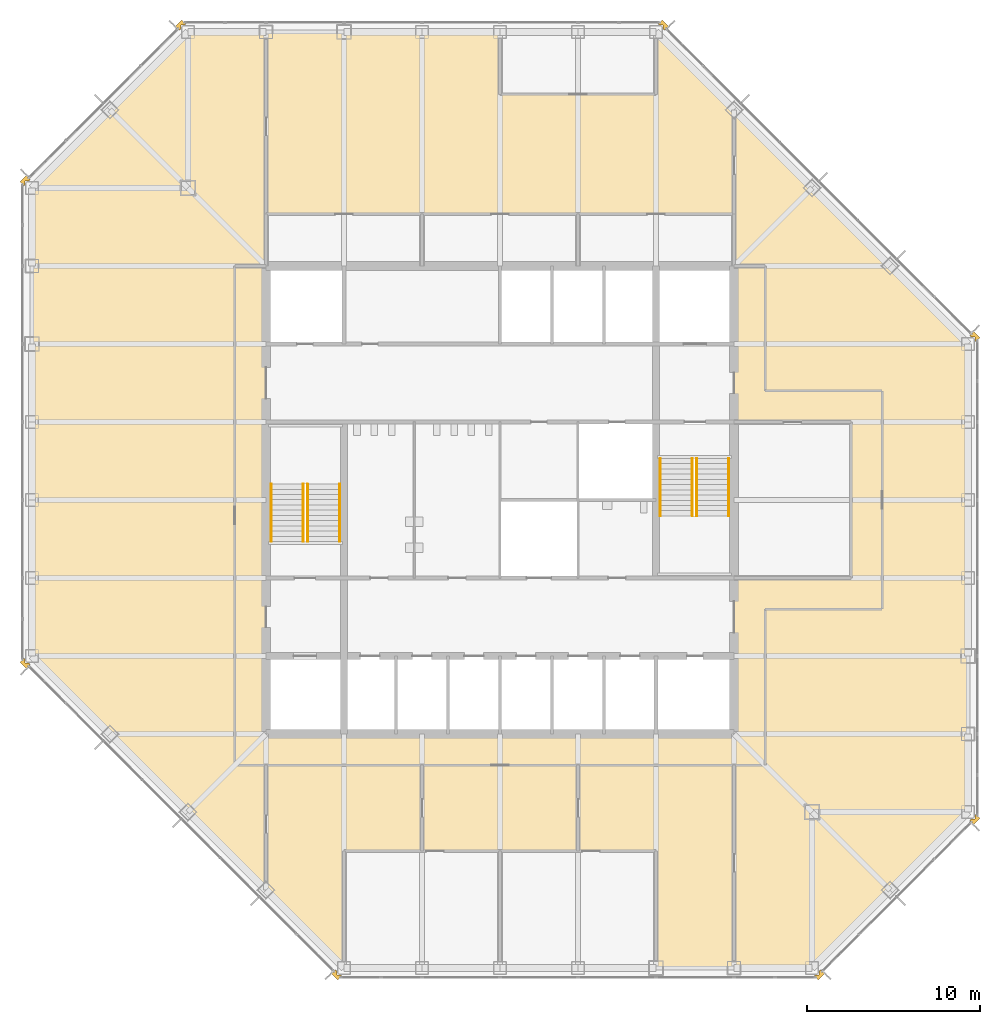
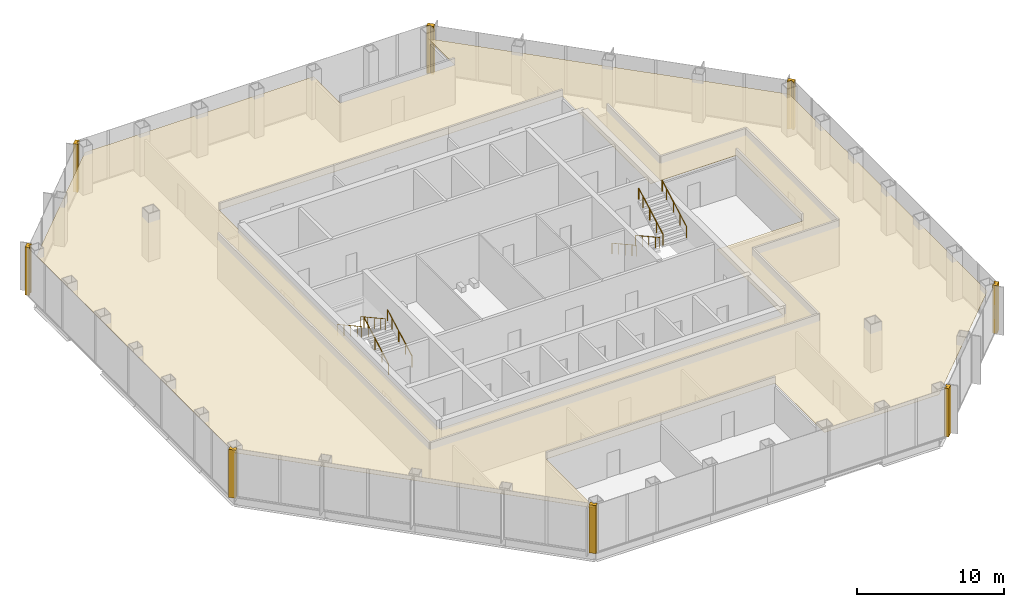
# One storey, part 11 of 12: 9 coverings, 8 railings.
"""IFC4 building model written with IfcOpenShell, lengths in metres."""

from ifc_helpers import new_model, si_unit, direction, frame, origin, origin_2d, place, context, subcontext, project, spatial, polyline, circle, outline, extrude, material, layer, layer_set, type_object, element, save


model = new_model("IFC4")

# Units and contexts
model_context = context("Model", 3, precision=1e-05, world=origin(), true_north=direction((0.0, 1.0)))
body_context = subcontext(model_context, "Body", "Model", "MODEL_VIEW")
ifc_project = project(units=[si_unit("LENGTHUNIT", "METRE"), si_unit("AREAUNIT", "SQUARE_METRE"), si_unit("VOLUMEUNIT", "CUBIC_METRE"), si_unit("PLANEANGLEUNIT", "RADIAN"), si_unit("MASSUNIT", "GRAM", prefix="KILO")], contexts=[model_context])

# Site, building, storey
site_placement = place(None, origin())
site = spatial("IfcSite", under=ifc_project, at=site_placement, CompositionType="ELEMENT")
building_placement = place(site_placement, origin())
building = spatial("IfcBuilding", under=site, at=building_placement, Name="Corais Broadcast Tower", CompositionType="ELEMENT")
storey_placement = place(building_placement, frame((0.0, 0.0, 187.60009765625)))
storey = spatial("IfcBuildingStorey", under=building, at=storey_placement, Name="L43", CompositionType="ELEMENT", Elevation=187.60009765625)

# Railings
ifc_material_1 = material(Name="Stainless steel handrail", Category="steel")
railing_type = type_object("IfcRailingType", Name="Handrail 920", PredefinedType="HANDRAIL", material=ifc_material_1)
for number, where, name in (
    (1, (17.75, 24.60009765625, 0.16650390625), "HR1 L43"),
    (2, (15.89990234375, 24.60009765625, 0.16650390625), "HR1 L43"),
):
    element("IfcRailing", number, at=place(storey_placement, frame(where)), inside=storey, type_object=railing_type, Name=name, PredefinedType="HANDRAIL", context=body_context, shape_type="SweptSolid", body=[
        extrude(circle(Radius=0.02392578125, at=origin_2d()), frame((0.0, 0.0, 0.89599609375), z_axis=(0.0, 0.875504475178, 0.483210010185), x_axis=(-1.0, 0.0, 0.0)), (0.0, 0.0, 1.0), 3.79443359375),
        extrude(circle(Radius=0.02099609375, at=origin_2d()), origin(), (0.0, 0.0, 1.0), 0.871826171875),
        extrude(circle(Radius=0.02099609375, at=origin_2d()), frame((0.0, 0.906005859375, 0.5)), (0.0, 0.0, 1.0), 0.871826171875),
        extrude(circle(Radius=0.02099609375, at=origin_2d()), frame((0.0, 1.81201171875, 1.0)), (0.0, 0.0, 1.0), 0.871826171875),
        extrude(circle(Radius=0.02099609375, at=origin_2d()), frame((0.0, 2.718017578125, 1.500244140625)), (0.0, 0.0, 1.0), 0.871826171875),
        extrude(circle(Radius=0.02099609375, at=origin_2d()), frame((0.0, 3.322021484375, 1.83349609375)), (0.0, 0.0, 1.0), 0.871826171875),
    ])
for number, where, name in (
    (3, (13.800048828125, 27.922119140625, 2.16650390625), "HR1 L43"),
    (4, (15.64990234375, 27.922119140625, 2.16650390625), "HR1 L43"),
    (5, (36.25, 29.39990234375, 0.16650390625), "HR1 L43"),
    (6, (38.10009765625, 29.39990234375, 0.16650390625), "HR1 L43"),
):
    element("IfcRailing", number, at=place(storey_placement, frame(where)), inside=storey, type_object=railing_type, Name=name, PredefinedType="HANDRAIL", context=body_context, shape_type="SweptSolid", body=[
        extrude(circle(Radius=0.02392578125, at=origin_2d()), frame((0.0, 0.0, 0.89599609375), z_axis=(0.0, -0.875504475178, 0.483210010185), x_axis=(1.0, 0.0, 0.0)), (0.0, 0.0, 1.0), 3.79443359375),
        extrude(circle(Radius=0.02099609375, at=origin_2d()), origin(), (0.0, 0.0, 1.0), 0.871826171875),
        extrude(circle(Radius=0.02099609375, at=origin_2d()), frame((0.0, -0.906005859375, 0.5)), (0.0, 0.0, 1.0), 0.871826171875),
        extrude(circle(Radius=0.02099609375, at=origin_2d()), frame((0.0, -1.81201171875, 1.0)), (0.0, 0.0, 1.0), 0.871826171875),
        extrude(circle(Radius=0.02099609375, at=origin_2d()), frame((0.0, -2.718017578125, 1.500244140625)), (0.0, 0.0, 1.0), 0.871826171875),
        extrude(circle(Radius=0.02099609375, at=origin_2d()), frame((0.0, -3.322021484375, 1.83349609375)), (0.0, 0.0, 1.0), 0.871826171875),
    ])
for number, where, name in (
    (7, (40.199951171875, 26.077880859375, 2.16650390625), "HR1 L43"),
    (8, (38.35009765625, 26.077880859375, 2.16650390625), "HR1 L43"),
):
    element("IfcRailing", number, at=place(storey_placement, frame(where)), inside=storey, type_object=railing_type, Name=name, PredefinedType="HANDRAIL", context=body_context, shape_type="SweptSolid", body=[
        extrude(circle(Radius=0.02392578125, at=origin_2d()), frame((0.0, 0.0, 0.89599609375), z_axis=(0.0, 0.875504475178, 0.483210010185), x_axis=(-1.0, 0.0, 0.0)), (0.0, 0.0, 1.0), 3.79443359375),
        extrude(circle(Radius=0.02099609375, at=origin_2d()), origin(), (0.0, 0.0, 1.0), 0.871826171875),
        extrude(circle(Radius=0.02099609375, at=origin_2d()), frame((0.0, 0.906005859375, 0.5)), (0.0, 0.0, 1.0), 0.871826171875),
        extrude(circle(Radius=0.02099609375, at=origin_2d()), frame((0.0, 1.81201171875, 1.0)), (0.0, 0.0, 1.0), 0.871826171875),
        extrude(circle(Radius=0.02099609375, at=origin_2d()), frame((0.0, 2.718017578125, 1.500244140625)), (0.0, 0.0, 1.0), 0.871826171875),
        extrude(circle(Radius=0.02099609375, at=origin_2d()), frame((0.0, 3.322021484375, 1.83349609375)), (0.0, 0.0, 1.0), 0.871826171875),
    ])

# Coverings
ifc_material_2 = material(Name="Granite stone cladding", Category="masonry")
ifc_layer_1 = layer(ifc_material_2, 0.324951171875)
ifc_layer_set_1 = layer_set([ifc_layer_1], Name="Granite stone cladding")
covering_type_1 = type_object("IfcCoveringType", Name="Stone corner pier cladding 500x325", PredefinedType="CLADDING", material=ifc_layer_set_1)
covering_1_placement = place(storey_placement, origin())
element("IfcCovering", 9, at=covering_1_placement, inside=storey, type_object=covering_type_1, Name="SP1 stone corner pier L43", PredefinedType="CLADDING", context=body_context, shape_type="SweptSolid", body=[
    extrude(outline(polyline([(17.860595703125, -0.461669921875), (17.799072265625, -0.39990234375), (17.60009765625, -0.39990234375), (17.60009765625, -0.200927734375), (17.507080078125, -0.108154296875), (17.277099609375, -0.337890625), (17.630859375, -0.69140625), (17.860595703125, -0.461669921875)])), origin(), (0.0, 0.0, 1.0), 4.0),
])
covering_2_placement = place(storey_placement, origin())
element("IfcCovering", 10, at=covering_2_placement, inside=storey, type_object=covering_type_1, Name="SP1 stone corner pier L43", PredefinedType="CLADDING", context=body_context, shape_type="SweptSolid", body=[
    extrude(outline(polyline([(-0.39990234375, 17.799072265625), (-0.461669921875, 17.860595703125), (-0.69140625, 17.630859375), (-0.337890625, 17.277099609375), (-0.108154296875, 17.507080078125), (-0.200927734375, 17.60009765625), (-0.39990234375, 17.60009765625), (-0.39990234375, 17.799072265625)])), origin(), (0.0, 0.0, 1.0), 4.0),
])
covering_3_placement = place(storey_placement, origin())
element("IfcCovering", 11, at=covering_3_placement, inside=storey, type_object=covering_type_1, Name="SP1 stone corner pier L43", PredefinedType="CLADDING", context=body_context, shape_type="SweptSolid", body=[
    extrude(outline(polyline([(-0.461669921875, 45.139404296875), (-0.39990234375, 45.200927734375), (-0.39990234375, 45.39990234375), (-0.200927734375, 45.39990234375), (-0.108154296875, 45.492919921875), (-0.337890625, 45.722900390625), (-0.69140625, 45.369140625), (-0.461669921875, 45.139404296875)])), origin(), (0.0, 0.0, 1.0), 4.0),
])
covering_4_placement = place(storey_placement, origin())
element("IfcCovering", 12, at=covering_4_placement, inside=storey, type_object=covering_type_1, Name="SP1 stone corner pier L43", PredefinedType="CLADDING", context=body_context, shape_type="SweptSolid", body=[
    extrude(outline(polyline([(8.799072265625, 54.39990234375), (8.860595703125, 54.461669921875), (8.630859375, 54.69140625), (8.277099609375, 54.337890625), (8.507080078125, 54.108154296875), (8.60009765625, 54.200927734375), (8.60009765625, 54.39990234375), (8.799072265625, 54.39990234375)])), origin(), (0.0, 0.0, 1.0), 4.0),
])
covering_5_placement = place(storey_placement, origin())
element("IfcCovering", 13, at=covering_5_placement, inside=storey, type_object=covering_type_1, Name="SP1 stone corner pier L43", PredefinedType="CLADDING", context=body_context, shape_type="SweptSolid", body=[
    extrude(outline(polyline([(36.139404296875, 54.461669921875), (36.200927734375, 54.39990234375), (36.39990234375, 54.39990234375), (36.39990234375, 54.200927734375), (36.492919921875, 54.108154296875), (36.722900390625, 54.337890625), (36.369140625, 54.69140625), (36.139404296875, 54.461669921875)])), origin(), (0.0, 0.0, 1.0), 4.0),
])
covering_6_placement = place(storey_placement, origin())
element("IfcCovering", 14, at=covering_6_placement, inside=storey, type_object=covering_type_1, Name="SP1 stone corner pier L43", PredefinedType="CLADDING", context=body_context, shape_type="SweptSolid", body=[
    extrude(outline(polyline([(54.39990234375, 36.200927734375), (54.461669921875, 36.139404296875), (54.69140625, 36.369140625), (54.337890625, 36.722900390625), (54.108154296875, 36.492919921875), (54.200927734375, 36.39990234375), (54.39990234375, 36.39990234375), (54.39990234375, 36.200927734375)])), origin(), (0.0, 0.0, 1.0), 4.0),
])
covering_7_placement = place(storey_placement, origin())
element("IfcCovering", 15, at=covering_7_placement, inside=storey, type_object=covering_type_1, Name="SP1 stone corner pier L43", PredefinedType="CLADDING", context=body_context, shape_type="SweptSolid", body=[
    extrude(outline(polyline([(54.461669921875, 8.860595703125), (54.39990234375, 8.799072265625), (54.39990234375, 8.60009765625), (54.200927734375, 8.60009765625), (54.108154296875, 8.507080078125), (54.337890625, 8.277099609375), (54.69140625, 8.630859375), (54.461669921875, 8.860595703125)])), origin(), (0.0, 0.0, 1.0), 4.0),
])
covering_8_placement = place(storey_placement, origin())
element("IfcCovering", 16, at=covering_8_placement, inside=storey, type_object=covering_type_1, Name="SP1 stone corner pier L43", PredefinedType="CLADDING", context=body_context, shape_type="SweptSolid", body=[
    extrude(outline(polyline([(45.200927734375, -0.39990234375), (45.139404296875, -0.461669921875), (45.369140625, -0.69140625), (45.722900390625, -0.337890625), (45.492919921875, -0.108154296875), (45.39990234375, -0.200927734375), (45.39990234375, -0.39990234375), (45.200927734375, -0.39990234375)])), origin(), (0.0, 0.0, 1.0), 4.0),
])
ifc_material_3 = material(Name="Mineral fibre ceiling tile", Category="mineral")
ifc_layer_2 = layer(ifc_material_3, 0.02001953125)
ifc_layer_set_2 = layer_set([ifc_layer_2], Name="Mineral fibre ceiling tile")
covering_type_2 = type_object("IfcCoveringType", Name="Suspended ceiling", PredefinedType="CEILING", material=ifc_layer_set_2)
covering_9_placement = place(storey_placement, frame((0.0, 0.0, 3.219970703125)))
element("IfcCovering", 17, at=covering_9_placement, inside=storey, type_object=covering_type_2, Name="CE1 ceiling L43", PredefinedType="CEILING", context=body_context, shape_type="SweptSolid", body=[
    extrude(outline(polyline([(18.0, 6.75), (18.0, 0.0), (13.501708984375, 4.498291015625), (13.499755859375, 4.500244140625), (0.0, 18.0), (0.0, 45.0), (9.0, 54.0), (27.0, 54.0), (27.0, 50.39990234375), (36.0, 50.39990234375), (36.0, 54.0), (54.0, 36.0), (54.0, 9.0), (45.0, 0.0), (36.0, 0.0), (36.0, 6.75), (18.0, 6.75)]), holes=[polyline([(13.5, 13.5), (40.5, 13.5), (40.5, 22.5), (47.25, 22.5), (47.25, 31.5), (40.5, 31.5), (40.5, 43.5), (13.5, 43.5), (13.5, 13.5)])]), origin(), (0.0, 0.0, 1.0), 0.02001953125),
])

save(model, "model.ifc")
